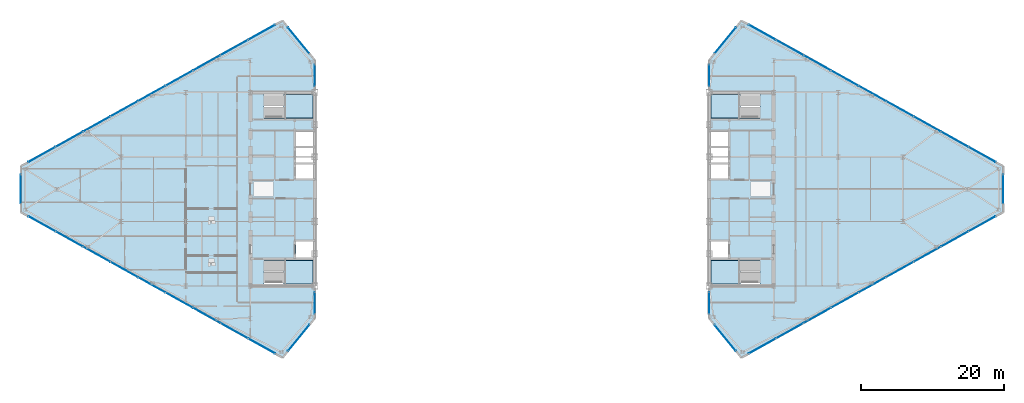
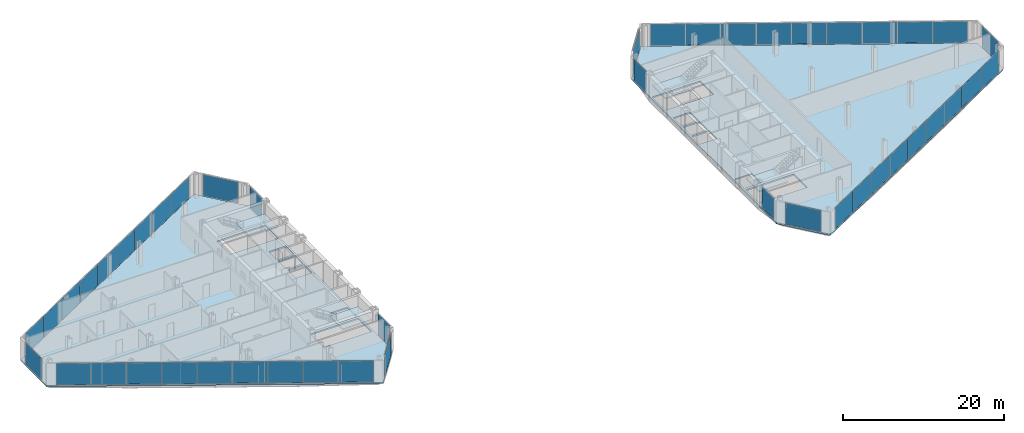
# One storey, part 18 of 26: 46 plates, 6 slabs, 18 elements without a shape of their own.
"""IFC4 building model written with IfcOpenShell, lengths in metres."""

from ifc_helpers import new_model, si_unit, direction, frame, origin, origin_2d, place, context, subcontext, project, spatial, polyline, rectangle, outline, extrude, source, transform, mapped, material, layer, layer_set, type_object, type_shapes, element, aggregate, save


model = new_model("IFC4")

# Units and contexts
model_context = context("Model", 3, precision=1e-05, world=origin(), true_north=direction((0.0, 1.0)))
body_context = subcontext(model_context, "Body", "Model", "MODEL_VIEW")
ifc_project = project(units=[si_unit("LENGTHUNIT", "METRE"), si_unit("AREAUNIT", "SQUARE_METRE"), si_unit("VOLUMEUNIT", "CUBIC_METRE"), si_unit("PLANEANGLEUNIT", "RADIAN"), si_unit("MASSUNIT", "GRAM", prefix="KILO")], contexts=[model_context])

# Site, building, storey
site_placement = place(None, origin())
site = spatial("IfcSite", under=ifc_project, at=site_placement, CompositionType="ELEMENT")
building_placement = place(site_placement, origin())
building = spatial("IfcBuilding", under=site, at=building_placement, Name="Seokmaru Belvedere", CompositionType="ELEMENT")
storey_placement = place(building_placement, frame((0.0, 0.0, 177.89990234375)))
storey = spatial("IfcBuildingStorey", under=building, at=storey_placement, Name="L47", CompositionType="ELEMENT", Elevation=177.89990234375)

# Stair, slab
ifc_material_1 = material(Name="Concrete C40 (40 MPa)", Category="concrete")
stair_type = type_object("IfcStairType", Name="Typical Tower Core Dog-Leg Stair 3600", PredefinedType="TWO_STRAIGHT_RUN_STAIR", material=ifc_material_1)
stair_1_placement = place(storey_placement, origin())
stair_1 = element("IfcStair", 1, at=stair_1_placement, inside=storey, type_object=stair_type, Name="L47 Special Escape Stair ST-W1", PredefinedType="TWO_STRAIGHT_RUN_STAIR")
ifc_layer_1 = layer(ifc_material_1, 0.199951171875)
ifc_layer_set_1 = layer_set([ifc_layer_1], Name="Concrete C40 (40 MPa)")
slab_type_1 = type_object("IfcSlabType", Name="Reinforced Concrete Stair Landing Slab 200", PredefinedType="LANDING", material=ifc_layer_set_1)
slab_1_placement = place(storey_placement, frame((0.0, 0.0, 1.60009765625)))
slab_1 = element("IfcSlab", 2, at=slab_1_placement, type_object=slab_type_1, Name="ST-W1 landing 1", PredefinedType="LANDING", context=body_context, shape_type="SweptSolid", body=[
    extrude(outline(polyline([(-31.8798828125, -13.239990234375), (-27.760009765625, -13.239990234375), (-27.760009765625, -9.949951171875), (-31.8798828125, -9.949951171875), (-31.8798828125, -13.239990234375)])), origin(), (0.0, 0.0, 1.0), 0.199951171875),
])
aggregate(stair_1, [slab_1])

stair_2_placement = place(storey_placement, origin())
stair_2 = element("IfcStair", 3, at=stair_2_placement, inside=storey, type_object=stair_type, Name="L47 Special Escape Stair ST-W2", PredefinedType="TWO_STRAIGHT_RUN_STAIR")
slab_2_placement = place(storey_placement, frame((0.0, 0.0, 1.60009765625)))
slab_2 = element("IfcSlab", 4, at=slab_2_placement, type_object=slab_type_1, Name="ST-W2 landing 1", PredefinedType="LANDING", context=body_context, shape_type="SweptSolid", body=[
    extrude(outline(polyline([(-31.8798828125, 9.949951171875), (-27.760009765625, 9.949951171875), (-27.760009765625, 13.239990234375), (-31.8798828125, 13.239990234375), (-31.8798828125, 9.949951171875)])), origin(), (0.0, 0.0, 1.0), 0.199951171875),
])
aggregate(stair_2, [slab_2])

stair_3_placement = place(storey_placement, origin())
stair_3 = element("IfcStair", 5, at=stair_3_placement, inside=storey, type_object=stair_type, Name="L47 Special Escape Stair ST-E1", PredefinedType="TWO_STRAIGHT_RUN_STAIR")
slab_3_placement = place(storey_placement, frame((0.0, 0.0, 1.60009765625)))
slab_3 = element("IfcSlab", 6, at=slab_3_placement, type_object=slab_type_1, Name="ST-E1 landing 1", PredefinedType="LANDING", context=body_context, shape_type="SweptSolid", body=[
    extrude(outline(polyline([(27.760009765625, -13.239990234375), (31.8798828125, -13.239990234375), (31.8798828125, -9.949951171875), (27.760009765625, -9.949951171875), (27.760009765625, -13.239990234375)])), origin(), (0.0, 0.0, 1.0), 0.199951171875),
])
aggregate(stair_3, [slab_3])

stair_4_placement = place(storey_placement, origin())
stair_4 = element("IfcStair", 7, at=stair_4_placement, inside=storey, type_object=stair_type, Name="L47 Special Escape Stair ST-E2", PredefinedType="TWO_STRAIGHT_RUN_STAIR")
slab_4_placement = place(storey_placement, frame((0.0, 0.0, 1.60009765625)))
slab_4 = element("IfcSlab", 8, at=slab_4_placement, type_object=slab_type_1, Name="ST-E2 landing 1", PredefinedType="LANDING", context=body_context, shape_type="SweptSolid", body=[
    extrude(outline(polyline([(27.760009765625, 9.949951171875), (31.8798828125, 9.949951171875), (31.8798828125, 13.239990234375), (27.760009765625, 13.239990234375), (27.760009765625, 9.949951171875)])), origin(), (0.0, 0.0, 1.0), 0.199951171875),
])
aggregate(stair_4, [slab_4])

# Slabs
ifc_layer_2 = layer(ifc_material_1, 0.219970703125)
ifc_layer_set_2 = layer_set([ifc_layer_2], Name="Concrete C40 (40 MPa)")
slab_type_2 = type_object("IfcSlabType", Name="Typical Tower Composite Floor Slab 220", PredefinedType="FLOOR", material=ifc_layer_set_2)
slab_5_placement = place(storey_placement, frame((0.0, 0.0, -0.219970703125)))
element("IfcSlab", 9, at=slab_5_placement, inside=storey, type_object=slab_type_2, Name="L47 West Leg Floor Slab", PredefinedType="FLOOR", context=body_context, shape_type="SweptSolid", body=[
    extrude(outline(polyline([(-27.5, -18.0), (-27.5, 18.0), (-32.0, 23.5), (-68.5, 3.199951171875), (-68.5, -3.199951171875), (-32.0, -23.5), (-27.5, -18.0)]), holes=[polyline([(-34.60009765625, -13.25), (-27.75, -13.25), (-27.75, -9.949951171875), (-34.60009765625, -9.949951171875), (-34.60009765625, -13.25)]), polyline([(-34.60009765625, 9.949951171875), (-27.75, 9.949951171875), (-27.75, 13.25), (-34.60009765625, 13.25), (-34.60009765625, 9.949951171875)]), polyline([(-30.14990234375, -9.550048828125), (-27.75, -9.550048828125), (-27.75, -7.25), (-30.14990234375, -7.25), (-30.14990234375, -9.550048828125)]), polyline([(-30.14990234375, 1.449951171875), (-27.75, 1.449951171875), (-27.75, 3.449951171875), (-30.14990234375, 3.449951171875), (-30.14990234375, 1.449951171875)]), polyline([(-30.14990234375, 3.75), (-27.75, 3.75), (-27.75, 5.75), (-30.14990234375, 5.75), (-30.14990234375, 3.75)]), polyline([(-30.14990234375, 6.050048828125), (-27.75, 6.050048828125), (-27.75, 8.050048828125), (-30.14990234375, 8.050048828125), (-30.14990234375, 6.050048828125)])]), origin(), (0.0, 0.0, 1.0), 0.219970703125),
])
slab_6_placement = place(storey_placement, frame((0.0, 0.0, -0.219970703125)))
element("IfcSlab", 10, at=slab_6_placement, inside=storey, type_object=slab_type_2, Name="L47 East Leg Floor Slab", PredefinedType="FLOOR", context=body_context, shape_type="SweptSolid", body=[
    extrude(outline(polyline([(32.0, -23.5), (68.5, -3.199951171875), (68.5, 3.199951171875), (32.0, 23.5), (27.5, 18.0), (27.5, -18.0), (32.0, -23.5)]), holes=[polyline([(27.75, -13.25), (34.60009765625, -13.25), (34.60009765625, -9.949951171875), (27.75, -9.949951171875), (27.75, -13.25)]), polyline([(27.75, 9.949951171875), (34.60009765625, 9.949951171875), (34.60009765625, 13.25), (27.75, 13.25), (27.75, 9.949951171875)]), polyline([(27.75, -9.550048828125), (30.14990234375, -9.550048828125), (30.14990234375, -7.25), (27.75, -7.25), (27.75, -9.550048828125)]), polyline([(27.75, 1.449951171875), (30.14990234375, 1.449951171875), (30.14990234375, 3.449951171875), (27.75, 3.449951171875), (27.75, 1.449951171875)]), polyline([(27.75, 3.75), (30.14990234375, 3.75), (30.14990234375, 5.75), (27.75, 5.75), (27.75, 3.75)]), polyline([(27.75, 6.050048828125), (30.14990234375, 6.050048828125), (30.14990234375, 8.050048828125), (27.75, 8.050048828125), (27.75, 6.050048828125)])]), origin(), (0.0, 0.0, 1.0), 0.219970703125),
])

# Curtain wall, plate
ifc_material_2 = material(Name="Bronze Triple Insulating Glass", Category="glass")
ifc_layer_3 = layer(ifc_material_2, 0.179931640625)
ifc_layer_set_3 = layer_set([ifc_layer_3], Name="Bronze Triple Insulating Glass")
curtain_wall_type = type_object("IfcCurtainWallType", Name="High-Rise Wind-Corner Curtain Wall System CW-5", PredefinedType="NOTDEFINED", material=ifc_layer_set_3)
curtain_wall_1_placement = place(storey_placement, origin())
curtain_wall_1 = element("IfcCurtainWall", 11, at=curtain_wall_1_placement, inside=storey, type_object=curtain_wall_type, Name="L47 Curtain Wall WSP_1", PredefinedType="NOTDEFINED")
ifc_layer_4 = layer(ifc_material_2, 0.035888671875)
ifc_layer_set_4 = layer_set([ifc_layer_4], Name="Bronze Triple Insulating Glass")
plate_type = type_object("IfcPlateType", Name="Bronze Triple Vision Glazing Panel 36", PredefinedType="CURTAIN_PANEL", material=ifc_layer_set_4)
shared_shape_1 = source(origin(), body_context, "Body", "SweptSolid", [
    extrude(rectangle(XDim=2.969970703125, YDim=0.035888671875, at=origin_2d()), origin(), (0.0, 0.0, 1.0), 3.25),
])
plate_1_placement = place(storey_placement, frame((-27.5, -15.8798828125, 0.065185546875), z_axis=(0.0, 0.0, 1.0), x_axis=(0.0, 1.0, 0.0)))
plate_1 = element("IfcPlate", 12, at=plate_1_placement, type_object=plate_type, Name="CW:L47:WSP_1 Glazing Panel 1-1", PredefinedType="CURTAIN_PANEL", context=body_context, shape_type="MappedRepresentation", body=[
    mapped(shared_shape_1, transform((0.0, 0.0, 0.0), scale=1.0)),
])
aggregate(curtain_wall_1, [plate_1])

curtain_wall_2_placement = place(storey_placement, origin())
curtain_wall_2 = element("IfcCurtainWall", 13, at=curtain_wall_2_placement, inside=storey, type_object=curtain_wall_type, Name="L47 Curtain Wall WSP_2", PredefinedType="NOTDEFINED")
plate_2_placement = place(storey_placement, frame((-27.5, 15.8798828125, 0.065185546875), z_axis=(0.0, 0.0, 1.0), x_axis=(0.0, 1.0, 0.0)))
plate_2 = element("IfcPlate", 14, at=plate_2_placement, type_object=plate_type, Name="CW:L47:WSP_2 Glazing Panel 1-1", PredefinedType="CURTAIN_PANEL", context=body_context, shape_type="MappedRepresentation", body=[
    mapped(shared_shape_1, transform((0.0, 0.0, 0.0), scale=1.0)),
])
aggregate(curtain_wall_2, [plate_2])

curtain_wall_3_placement = place(storey_placement, origin())
curtain_wall_3 = element("IfcCurtainWall", 15, at=curtain_wall_3_placement, inside=storey, type_object=curtain_wall_type, Name="L47 Curtain Wall ESP_1", PredefinedType="NOTDEFINED")
plate_3_placement = place(storey_placement, frame((27.5, -15.8798828125, 0.065185546875), z_axis=(0.0, 0.0, 1.0), x_axis=(0.0, -1.0, 0.0)))
plate_3 = element("IfcPlate", 16, at=plate_3_placement, type_object=plate_type, Name="CW:L47:ESP_1 Glazing Panel 1-1", PredefinedType="CURTAIN_PANEL", context=body_context, shape_type="MappedRepresentation", body=[
    mapped(shared_shape_1, transform((0.0, 0.0, 0.0), scale=1.0)),
])
aggregate(curtain_wall_3, [plate_3])

curtain_wall_4_placement = place(storey_placement, origin())
curtain_wall_4 = element("IfcCurtainWall", 17, at=curtain_wall_4_placement, inside=storey, type_object=curtain_wall_type, Name="L47 Curtain Wall ESP_2", PredefinedType="NOTDEFINED")
plate_4_placement = place(storey_placement, frame((27.5, 15.8798828125, 0.065185546875), z_axis=(0.0, 0.0, 1.0), x_axis=(0.0, -1.0, 0.0)))
plate_4 = element("IfcPlate", 18, at=plate_4_placement, type_object=plate_type, Name="CW:L47:ESP_2 Glazing Panel 1-1", PredefinedType="CURTAIN_PANEL", context=body_context, shape_type="MappedRepresentation", body=[
    mapped(shared_shape_1, transform((0.0, 0.0, 0.0), scale=1.0)),
])
aggregate(curtain_wall_4, [plate_4])

curtain_wall_5_placement = place(storey_placement, origin())
curtain_wall_5 = element("IfcCurtainWall", 19, at=curtain_wall_5_placement, inside=storey, type_object=curtain_wall_type, Name="L47 Curtain Wall WF2", PredefinedType="NOTDEFINED")
shared_shape_2 = source(origin(), body_context, "Body", "SweptSolid", [
    extrude(rectangle(XDim=4.67626953125, YDim=0.035888671875, at=origin_2d()), origin(), (0.0, 0.0, 1.0), 3.25),
])
plate_5_placement = place(storey_placement, frame((-29.75, 20.75, 0.065185546875), z_axis=(0.0, 0.0, 1.0), x_axis=(-0.633253907144, 0.773944112379, 0.0)))
plate_5 = element("IfcPlate", 20, at=plate_5_placement, type_object=plate_type, Name="CW:L47:WF2 Glazing Panel 1-1", PredefinedType="CURTAIN_PANEL", context=body_context, shape_type="MappedRepresentation", body=[
    mapped(shared_shape_2, transform((0.0, 0.0, 0.0), scale=1.0)),
])
aggregate(curtain_wall_5, [plate_5])

curtain_wall_6_placement = place(storey_placement, origin())
curtain_wall_6 = element("IfcCurtainWall", 21, at=curtain_wall_6_placement, inside=storey, type_object=curtain_wall_type, Name="L47 Curtain Wall WF6", PredefinedType="NOTDEFINED")
plate_6_placement = place(storey_placement, frame((-29.75, -20.75, 0.065185546875), z_axis=(0.0, 0.0, 1.0), x_axis=(0.633253907144, 0.773944112379, 0.0)))
plate_6 = element("IfcPlate", 22, at=plate_6_placement, type_object=plate_type, Name="CW:L47:WF6 Glazing Panel 1-1", PredefinedType="CURTAIN_PANEL", context=body_context, shape_type="MappedRepresentation", body=[
    mapped(shared_shape_2, transform((0.0, 0.0, 0.0), scale=1.0)),
])
aggregate(curtain_wall_6, [plate_6])

curtain_wall_7_placement = place(storey_placement, origin())
curtain_wall_7 = element("IfcCurtainWall", 23, at=curtain_wall_7_placement, inside=storey, type_object=curtain_wall_type, Name="L47 Curtain Wall EF4", PredefinedType="NOTDEFINED")
plate_7_placement = place(storey_placement, frame((29.75, 20.75, 0.065185546875), z_axis=(0.0, 0.0, 1.0), x_axis=(-0.633253907144, -0.773944112379, 0.0)))
plate_7 = element("IfcPlate", 24, at=plate_7_placement, type_object=plate_type, Name="CW:L47:EF4 Glazing Panel 1-1", PredefinedType="CURTAIN_PANEL", context=body_context, shape_type="MappedRepresentation", body=[
    mapped(shared_shape_2, transform((0.0, 0.0, 0.0), scale=1.0)),
])
aggregate(curtain_wall_7, [plate_7])

curtain_wall_8_placement = place(storey_placement, origin())
curtain_wall_8 = element("IfcCurtainWall", 25, at=curtain_wall_8_placement, inside=storey, type_object=curtain_wall_type, Name="L47 Curtain Wall EF6", PredefinedType="NOTDEFINED")
plate_8_placement = place(storey_placement, frame((29.75, -20.75, 0.065185546875), z_axis=(0.0, 0.0, 1.0), x_axis=(0.633253907144, -0.773944112379, 0.0)))
plate_8 = element("IfcPlate", 26, at=plate_8_placement, type_object=plate_type, Name="CW:L47:EF6 Glazing Panel 1-1", PredefinedType="CURTAIN_PANEL", context=body_context, shape_type="MappedRepresentation", body=[
    mapped(shared_shape_2, transform((0.0, 0.0, 0.0), scale=1.0)),
])
aggregate(curtain_wall_8, [plate_8])

# Curtain wall, plates
curtain_wall_9_placement = place(storey_placement, origin())
curtain_wall_9 = element("IfcCurtainWall", 27, at=curtain_wall_9_placement, inside=storey, type_object=curtain_wall_type, Name="L47 Curtain Wall WF3", PredefinedType="NOTDEFINED")
shared_shape_3 = source(origin(), body_context, "Body", "SweptSolid", [
    extrude(rectangle(XDim=4.28759765625, YDim=0.035888671875, at=origin_2d()), origin(), (0.0, 0.0, 1.0), 3.25),
])
plate_9_placement = place(storey_placement, frame((-34.935302734375, 21.867431640625, 0.065185546875), z_axis=(0.0, 0.0, 1.0), x_axis=(-0.873932601598, -0.486047125147, 0.0)))
plate_9 = element("IfcPlate", 28, at=plate_9_placement, type_object=plate_type, Name="CW:L47:WF3 Glazing Panel 1-1", PredefinedType="CURTAIN_PANEL", context=body_context, shape_type="MappedRepresentation", body=[
    mapped(shared_shape_3, transform((0.0, 0.0, 0.0), scale=1.0)),
])
plate_10_placement = place(storey_placement, frame((-65.564697265625, 4.83251953125, 0.065185546875), z_axis=(0.0, 0.0, 1.0), x_axis=(-0.873932601598, -0.486047125147, 0.0)))
plate_10 = element("IfcPlate", 29, at=plate_10_placement, type_object=plate_type, Name="CW:L47:WF3 Glazing Panel 9-1", PredefinedType="CURTAIN_PANEL", context=body_context, shape_type="MappedRepresentation", body=[
    mapped(shared_shape_3, transform((0.0, 0.0, 0.0), scale=1.0)),
])

curtain_wall_10_placement = place(storey_placement, origin())
curtain_wall_10 = element("IfcCurtainWall", 30, at=curtain_wall_10_placement, inside=storey, type_object=curtain_wall_type, Name="L47 Curtain Wall WF5", PredefinedType="NOTDEFINED")
plate_11_placement = place(storey_placement, frame((-65.564697265625, -4.83251953125, 0.065185546875), z_axis=(0.0, 0.0, 1.0), x_axis=(0.873932601598, -0.486047125147, 0.0)))
plate_11 = element("IfcPlate", 31, at=plate_11_placement, type_object=plate_type, Name="CW:L47:WF5 Glazing Panel 1-1", PredefinedType="CURTAIN_PANEL", context=body_context, shape_type="MappedRepresentation", body=[
    mapped(shared_shape_3, transform((0.0, 0.0, 0.0), scale=1.0)),
])
plate_12_placement = place(storey_placement, frame((-34.935302734375, -21.867431640625, 0.065185546875), z_axis=(0.0, 0.0, 1.0), x_axis=(0.873932601598, -0.486047125147, 0.0)))
plate_12 = element("IfcPlate", 32, at=plate_12_placement, type_object=plate_type, Name="CW:L47:WF5 Glazing Panel 9-1", PredefinedType="CURTAIN_PANEL", context=body_context, shape_type="MappedRepresentation", body=[
    mapped(shared_shape_3, transform((0.0, 0.0, 0.0), scale=1.0)),
])

curtain_wall_11_placement = place(storey_placement, origin())
curtain_wall_11 = element("IfcCurtainWall", 33, at=curtain_wall_11_placement, inside=storey, type_object=curtain_wall_type, Name="L47 Curtain Wall EF1", PredefinedType="NOTDEFINED")
plate_13_placement = place(storey_placement, frame((34.935302734375, -21.867431640625, 0.065185546875), z_axis=(0.0, 0.0, 1.0), x_axis=(0.873932601598, 0.486047125147, 0.0)))
plate_13 = element("IfcPlate", 34, at=plate_13_placement, type_object=plate_type, Name="CW:L47:EF1 Glazing Panel 1-1", PredefinedType="CURTAIN_PANEL", context=body_context, shape_type="MappedRepresentation", body=[
    mapped(shared_shape_3, transform((0.0, 0.0, 0.0), scale=1.0)),
])
plate_14_placement = place(storey_placement, frame((65.564697265625, -4.83251953125, 0.065185546875), z_axis=(0.0, 0.0, 1.0), x_axis=(0.873932601598, 0.486047125147, 0.0)))
plate_14 = element("IfcPlate", 35, at=plate_14_placement, type_object=plate_type, Name="CW:L47:EF1 Glazing Panel 9-1", PredefinedType="CURTAIN_PANEL", context=body_context, shape_type="MappedRepresentation", body=[
    mapped(shared_shape_3, transform((0.0, 0.0, 0.0), scale=1.0)),
])

curtain_wall_12_placement = place(storey_placement, origin())
curtain_wall_12 = element("IfcCurtainWall", 36, at=curtain_wall_12_placement, inside=storey, type_object=curtain_wall_type, Name="L47 Curtain Wall EF3", PredefinedType="NOTDEFINED")
plate_15_placement = place(storey_placement, frame((65.564697265625, 4.83251953125, 0.065185546875), z_axis=(0.0, 0.0, 1.0), x_axis=(-0.873932601598, 0.486047125147, 0.0)))
plate_15 = element("IfcPlate", 37, at=plate_15_placement, type_object=plate_type, Name="CW:L47:EF3 Glazing Panel 1-1", PredefinedType="CURTAIN_PANEL", context=body_context, shape_type="MappedRepresentation", body=[
    mapped(shared_shape_3, transform((0.0, 0.0, 0.0), scale=1.0)),
])
plate_16_placement = place(storey_placement, frame((34.935302734375, 21.867431640625, 0.065185546875), z_axis=(0.0, 0.0, 1.0), x_axis=(-0.873932601598, 0.486047125147, 0.0)))
plate_16 = element("IfcPlate", 38, at=plate_16_placement, type_object=plate_type, Name="CW:L47:EF3 Glazing Panel 9-1", PredefinedType="CURTAIN_PANEL", context=body_context, shape_type="MappedRepresentation", body=[
    mapped(shared_shape_3, transform((0.0, 0.0, 0.0), scale=1.0)),
])

# Plate
shared_shape_4 = source(origin(), body_context, "Body", "SweptSolid", [
    extrude(rectangle(XDim=4.320068359375, YDim=0.035888671875, at=origin_2d()), origin(), (0.0, 0.0, 1.0), 3.25),
])
plate_17_placement = place(storey_placement, frame((-38.75341796875, 19.743896484375, 0.065185546875), z_axis=(0.0, 0.0, 1.0), x_axis=(-0.873932601598, -0.486047125147, 0.0)))
plate_17 = element("IfcPlate", 39, at=plate_17_placement, type_object=plate_type, Name="CW:L47:WF3 Glazing Panel 2-1", PredefinedType="CURTAIN_PANEL", context=body_context, shape_type="MappedRepresentation", body=[
    mapped(shared_shape_4, transform((0.0, 0.0, 0.0), scale=1.0)),
])

plate_18_placement = place(storey_placement, frame((-42.585693359375, 17.61279296875, 0.065185546875), z_axis=(0.0, 0.0, 1.0), x_axis=(-0.873932601598, -0.486047125147, 0.0)))
plate_18 = element("IfcPlate", 40, at=plate_18_placement, type_object=plate_type, Name="CW:L47:WF3 Glazing Panel 3-1", PredefinedType="CURTAIN_PANEL", context=body_context, shape_type="MappedRepresentation", body=[
    mapped(shared_shape_4, transform((0.0, 0.0, 0.0), scale=1.0)),
])

plate_19_placement = place(storey_placement, frame((-46.417724609375, 15.481201171875, 0.065185546875), z_axis=(0.0, 0.0, 1.0), x_axis=(-0.873932601598, -0.486047125147, 0.0)))
plate_19 = element("IfcPlate", 41, at=plate_19_placement, type_object=plate_type, Name="CW:L47:WF3 Glazing Panel 4-1", PredefinedType="CURTAIN_PANEL", context=body_context, shape_type="MappedRepresentation", body=[
    mapped(shared_shape_4, transform((0.0, 0.0, 0.0), scale=1.0)),
])

plate_20_placement = place(storey_placement, frame((-50.25, 13.35009765625, 0.065185546875), z_axis=(0.0, 0.0, 1.0), x_axis=(-0.873932601598, -0.486047125147, 0.0)))
plate_20 = element("IfcPlate", 42, at=plate_20_placement, type_object=plate_type, Name="CW:L47:WF3 Glazing Panel 5-1", PredefinedType="CURTAIN_PANEL", context=body_context, shape_type="MappedRepresentation", body=[
    mapped(shared_shape_4, transform((0.0, 0.0, 0.0), scale=1.0)),
])

plate_21_placement = place(storey_placement, frame((-54.082275390625, 11.21875, 0.065185546875), z_axis=(0.0, 0.0, 1.0), x_axis=(-0.873932601598, -0.486047125147, 0.0)))
plate_21 = element("IfcPlate", 43, at=plate_21_placement, type_object=plate_type, Name="CW:L47:WF3 Glazing Panel 6-1", PredefinedType="CURTAIN_PANEL", context=body_context, shape_type="MappedRepresentation", body=[
    mapped(shared_shape_4, transform((0.0, 0.0, 0.0), scale=1.0)),
])

plate_22_placement = place(storey_placement, frame((-57.914306640625, 9.08740234375, 0.065185546875), z_axis=(0.0, 0.0, 1.0), x_axis=(-0.873932601598, -0.486047125147, 0.0)))
plate_22 = element("IfcPlate", 44, at=plate_22_placement, type_object=plate_type, Name="CW:L47:WF3 Glazing Panel 7-1", PredefinedType="CURTAIN_PANEL", context=body_context, shape_type="MappedRepresentation", body=[
    mapped(shared_shape_4, transform((0.0, 0.0, 0.0), scale=1.0)),
])

plate_23_placement = place(storey_placement, frame((-61.74658203125, 6.9560546875, 0.065185546875), z_axis=(0.0, 0.0, 1.0), x_axis=(-0.873932601598, -0.486047125147, 0.0)))
plate_23 = element("IfcPlate", 45, at=plate_23_placement, type_object=plate_type, Name="CW:L47:WF3 Glazing Panel 8-1", PredefinedType="CURTAIN_PANEL", context=body_context, shape_type="MappedRepresentation", body=[
    mapped(shared_shape_4, transform((0.0, 0.0, 0.0), scale=1.0)),
])

aggregate(curtain_wall_9, [plate_9, plate_17, plate_18, plate_19, plate_20, plate_21, plate_22, plate_23, plate_10])

plate_24_placement = place(storey_placement, frame((-61.74658203125, -6.9560546875, 0.065185546875), z_axis=(0.0, 0.0, 1.0), x_axis=(0.873932601598, -0.486047125147, 0.0)))
plate_24 = element("IfcPlate", 46, at=plate_24_placement, type_object=plate_type, Name="CW:L47:WF5 Glazing Panel 2-1", PredefinedType="CURTAIN_PANEL", context=body_context, shape_type="MappedRepresentation", body=[
    mapped(shared_shape_4, transform((0.0, 0.0, 0.0), scale=1.0)),
])

plate_25_placement = place(storey_placement, frame((-57.914306640625, -9.08740234375, 0.065185546875), z_axis=(0.0, 0.0, 1.0), x_axis=(0.873932601598, -0.486047125147, 0.0)))
plate_25 = element("IfcPlate", 47, at=plate_25_placement, type_object=plate_type, Name="CW:L47:WF5 Glazing Panel 3-1", PredefinedType="CURTAIN_PANEL", context=body_context, shape_type="MappedRepresentation", body=[
    mapped(shared_shape_4, transform((0.0, 0.0, 0.0), scale=1.0)),
])

plate_26_placement = place(storey_placement, frame((-54.082275390625, -11.21875, 0.065185546875), z_axis=(0.0, 0.0, 1.0), x_axis=(0.873932601598, -0.486047125147, 0.0)))
plate_26 = element("IfcPlate", 48, at=plate_26_placement, type_object=plate_type, Name="CW:L47:WF5 Glazing Panel 4-1", PredefinedType="CURTAIN_PANEL", context=body_context, shape_type="MappedRepresentation", body=[
    mapped(shared_shape_4, transform((0.0, 0.0, 0.0), scale=1.0)),
])

plate_27_placement = place(storey_placement, frame((-50.25, -13.35009765625, 0.065185546875), z_axis=(0.0, 0.0, 1.0), x_axis=(0.873932601598, -0.486047125147, 0.0)))
plate_27 = element("IfcPlate", 49, at=plate_27_placement, type_object=plate_type, Name="CW:L47:WF5 Glazing Panel 5-1", PredefinedType="CURTAIN_PANEL", context=body_context, shape_type="MappedRepresentation", body=[
    mapped(shared_shape_4, transform((0.0, 0.0, 0.0), scale=1.0)),
])

plate_28_placement = place(storey_placement, frame((-46.417724609375, -15.481201171875, 0.065185546875), z_axis=(0.0, 0.0, 1.0), x_axis=(0.873932601598, -0.486047125147, 0.0)))
plate_28 = element("IfcPlate", 50, at=plate_28_placement, type_object=plate_type, Name="CW:L47:WF5 Glazing Panel 6-1", PredefinedType="CURTAIN_PANEL", context=body_context, shape_type="MappedRepresentation", body=[
    mapped(shared_shape_4, transform((0.0, 0.0, 0.0), scale=1.0)),
])

plate_29_placement = place(storey_placement, frame((-42.585693359375, -17.61279296875, 0.065185546875), z_axis=(0.0, 0.0, 1.0), x_axis=(0.873932601598, -0.486047125147, 0.0)))
plate_29 = element("IfcPlate", 51, at=plate_29_placement, type_object=plate_type, Name="CW:L47:WF5 Glazing Panel 7-1", PredefinedType="CURTAIN_PANEL", context=body_context, shape_type="MappedRepresentation", body=[
    mapped(shared_shape_4, transform((0.0, 0.0, 0.0), scale=1.0)),
])

plate_30_placement = place(storey_placement, frame((-38.75341796875, -19.743896484375, 0.065185546875), z_axis=(0.0, 0.0, 1.0), x_axis=(0.873932601598, -0.486047125147, 0.0)))
plate_30 = element("IfcPlate", 52, at=plate_30_placement, type_object=plate_type, Name="CW:L47:WF5 Glazing Panel 8-1", PredefinedType="CURTAIN_PANEL", context=body_context, shape_type="MappedRepresentation", body=[
    mapped(shared_shape_4, transform((0.0, 0.0, 0.0), scale=1.0)),
])

aggregate(curtain_wall_10, [plate_11, plate_24, plate_25, plate_26, plate_27, plate_28, plate_29, plate_30, plate_12])

plate_31_placement = place(storey_placement, frame((38.75341796875, -19.743896484375, 0.065185546875), z_axis=(0.0, 0.0, 1.0), x_axis=(0.873932601598, 0.486047125147, 0.0)))
plate_31 = element("IfcPlate", 53, at=plate_31_placement, type_object=plate_type, Name="CW:L47:EF1 Glazing Panel 2-1", PredefinedType="CURTAIN_PANEL", context=body_context, shape_type="MappedRepresentation", body=[
    mapped(shared_shape_4, transform((0.0, 0.0, 0.0), scale=1.0)),
])

plate_32_placement = place(storey_placement, frame((42.585693359375, -17.61279296875, 0.065185546875), z_axis=(0.0, 0.0, 1.0), x_axis=(0.873932601598, 0.486047125147, 0.0)))
plate_32 = element("IfcPlate", 54, at=plate_32_placement, type_object=plate_type, Name="CW:L47:EF1 Glazing Panel 3-1", PredefinedType="CURTAIN_PANEL", context=body_context, shape_type="MappedRepresentation", body=[
    mapped(shared_shape_4, transform((0.0, 0.0, 0.0), scale=1.0)),
])

plate_33_placement = place(storey_placement, frame((46.417724609375, -15.481201171875, 0.065185546875), z_axis=(0.0, 0.0, 1.0), x_axis=(0.873932601598, 0.486047125147, 0.0)))
plate_33 = element("IfcPlate", 55, at=plate_33_placement, type_object=plate_type, Name="CW:L47:EF1 Glazing Panel 4-1", PredefinedType="CURTAIN_PANEL", context=body_context, shape_type="MappedRepresentation", body=[
    mapped(shared_shape_4, transform((0.0, 0.0, 0.0), scale=1.0)),
])

plate_34_placement = place(storey_placement, frame((50.25, -13.35009765625, 0.065185546875), z_axis=(0.0, 0.0, 1.0), x_axis=(0.873932601598, 0.486047125147, 0.0)))
plate_34 = element("IfcPlate", 56, at=plate_34_placement, type_object=plate_type, Name="CW:L47:EF1 Glazing Panel 5-1", PredefinedType="CURTAIN_PANEL", context=body_context, shape_type="MappedRepresentation", body=[
    mapped(shared_shape_4, transform((0.0, 0.0, 0.0), scale=1.0)),
])

plate_35_placement = place(storey_placement, frame((54.082275390625, -11.21875, 0.065185546875), z_axis=(0.0, 0.0, 1.0), x_axis=(0.873932601598, 0.486047125147, 0.0)))
plate_35 = element("IfcPlate", 57, at=plate_35_placement, type_object=plate_type, Name="CW:L47:EF1 Glazing Panel 6-1", PredefinedType="CURTAIN_PANEL", context=body_context, shape_type="MappedRepresentation", body=[
    mapped(shared_shape_4, transform((0.0, 0.0, 0.0), scale=1.0)),
])

plate_36_placement = place(storey_placement, frame((57.914306640625, -9.08740234375, 0.065185546875), z_axis=(0.0, 0.0, 1.0), x_axis=(0.873932601598, 0.486047125147, 0.0)))
plate_36 = element("IfcPlate", 58, at=plate_36_placement, type_object=plate_type, Name="CW:L47:EF1 Glazing Panel 7-1", PredefinedType="CURTAIN_PANEL", context=body_context, shape_type="MappedRepresentation", body=[
    mapped(shared_shape_4, transform((0.0, 0.0, 0.0), scale=1.0)),
])

plate_37_placement = place(storey_placement, frame((61.74658203125, -6.9560546875, 0.065185546875), z_axis=(0.0, 0.0, 1.0), x_axis=(0.873932601598, 0.486047125147, 0.0)))
plate_37 = element("IfcPlate", 59, at=plate_37_placement, type_object=plate_type, Name="CW:L47:EF1 Glazing Panel 8-1", PredefinedType="CURTAIN_PANEL", context=body_context, shape_type="MappedRepresentation", body=[
    mapped(shared_shape_4, transform((0.0, 0.0, 0.0), scale=1.0)),
])

aggregate(curtain_wall_11, [plate_13, plate_31, plate_32, plate_33, plate_34, plate_35, plate_36, plate_37, plate_14])

plate_38_placement = place(storey_placement, frame((61.74658203125, 6.9560546875, 0.065185546875), z_axis=(0.0, 0.0, 1.0), x_axis=(-0.873932601598, 0.486047125147, 0.0)))
plate_38 = element("IfcPlate", 60, at=plate_38_placement, type_object=plate_type, Name="CW:L47:EF3 Glazing Panel 2-1", PredefinedType="CURTAIN_PANEL", context=body_context, shape_type="MappedRepresentation", body=[
    mapped(shared_shape_4, transform((0.0, 0.0, 0.0), scale=1.0)),
])

plate_39_placement = place(storey_placement, frame((57.914306640625, 9.08740234375, 0.065185546875), z_axis=(0.0, 0.0, 1.0), x_axis=(-0.873932601598, 0.486047125147, 0.0)))
plate_39 = element("IfcPlate", 61, at=plate_39_placement, type_object=plate_type, Name="CW:L47:EF3 Glazing Panel 3-1", PredefinedType="CURTAIN_PANEL", context=body_context, shape_type="MappedRepresentation", body=[
    mapped(shared_shape_4, transform((0.0, 0.0, 0.0), scale=1.0)),
])

plate_40_placement = place(storey_placement, frame((54.082275390625, 11.21875, 0.065185546875), z_axis=(0.0, 0.0, 1.0), x_axis=(-0.873932601598, 0.486047125147, 0.0)))
plate_40 = element("IfcPlate", 62, at=plate_40_placement, type_object=plate_type, Name="CW:L47:EF3 Glazing Panel 4-1", PredefinedType="CURTAIN_PANEL", context=body_context, shape_type="MappedRepresentation", body=[
    mapped(shared_shape_4, transform((0.0, 0.0, 0.0), scale=1.0)),
])

plate_41_placement = place(storey_placement, frame((50.25, 13.35009765625, 0.065185546875), z_axis=(0.0, 0.0, 1.0), x_axis=(-0.873932601598, 0.486047125147, 0.0)))
plate_41 = element("IfcPlate", 63, at=plate_41_placement, type_object=plate_type, Name="CW:L47:EF3 Glazing Panel 5-1", PredefinedType="CURTAIN_PANEL", context=body_context, shape_type="MappedRepresentation", body=[
    mapped(shared_shape_4, transform((0.0, 0.0, 0.0), scale=1.0)),
])

plate_42_placement = place(storey_placement, frame((46.417724609375, 15.481201171875, 0.065185546875), z_axis=(0.0, 0.0, 1.0), x_axis=(-0.873932601598, 0.486047125147, 0.0)))
plate_42 = element("IfcPlate", 64, at=plate_42_placement, type_object=plate_type, Name="CW:L47:EF3 Glazing Panel 6-1", PredefinedType="CURTAIN_PANEL", context=body_context, shape_type="MappedRepresentation", body=[
    mapped(shared_shape_4, transform((0.0, 0.0, 0.0), scale=1.0)),
])

plate_43_placement = place(storey_placement, frame((42.585693359375, 17.61279296875, 0.065185546875), z_axis=(0.0, 0.0, 1.0), x_axis=(-0.873932601598, 0.486047125147, 0.0)))
plate_43 = element("IfcPlate", 65, at=plate_43_placement, type_object=plate_type, Name="CW:L47:EF3 Glazing Panel 7-1", PredefinedType="CURTAIN_PANEL", context=body_context, shape_type="MappedRepresentation", body=[
    mapped(shared_shape_4, transform((0.0, 0.0, 0.0), scale=1.0)),
])

plate_44_placement = place(storey_placement, frame((38.75341796875, 19.743896484375, 0.065185546875), z_axis=(0.0, 0.0, 1.0), x_axis=(-0.873932601598, 0.486047125147, 0.0)))
plate_44 = element("IfcPlate", 66, at=plate_44_placement, type_object=plate_type, Name="CW:L47:EF3 Glazing Panel 8-1", PredefinedType="CURTAIN_PANEL", context=body_context, shape_type="MappedRepresentation", body=[
    mapped(shared_shape_4, transform((0.0, 0.0, 0.0), scale=1.0)),
])

aggregate(curtain_wall_12, [plate_15, plate_38, plate_39, plate_40, plate_41, plate_42, plate_43, plate_44, plate_16])

# Curtain wall, plate
curtain_wall_13_placement = place(storey_placement, origin())
curtain_wall_13 = element("IfcCurtainWall", 67, at=curtain_wall_13_placement, inside=storey, type_object=curtain_wall_type, Name="L47 Curtain Wall WF4", PredefinedType="NOTDEFINED")
shared_shape_5 = source(origin(), body_context, "Body", "SweptSolid", [
    extrude(rectangle(XDim=3.969970703125, YDim=0.035888671875, at=origin_2d()), origin(), (0.0, 0.0, 1.0), 3.25),
])
type_shapes(plate_type, [shared_shape_1, shared_shape_2, shared_shape_3, shared_shape_4, shared_shape_5])
plate_45_placement = place(storey_placement, frame((-68.5, 0.0, 0.065185546875), z_axis=(0.0, 0.0, 1.0), x_axis=(0.0, -1.0, 0.0)))
plate_45 = element("IfcPlate", 68, at=plate_45_placement, type_object=plate_type, Name="CW:L47:WF4 Glazing Panel 1-1", PredefinedType="CURTAIN_PANEL", context=body_context, shape_type="MappedRepresentation", body=[
    mapped(shared_shape_5, transform((0.0, 0.0, 0.0), scale=1.0)),
])
aggregate(curtain_wall_13, [plate_45])

curtain_wall_14_placement = place(storey_placement, origin())
curtain_wall_14 = element("IfcCurtainWall", 69, at=curtain_wall_14_placement, inside=storey, type_object=curtain_wall_type, Name="L47 Curtain Wall EF2", PredefinedType="NOTDEFINED")
plate_46_placement = place(storey_placement, frame((68.5, 0.0, 0.065185546875), z_axis=(0.0, 0.0, 1.0), x_axis=(0.0, 1.0, 0.0)))
plate_46 = element("IfcPlate", 70, at=plate_46_placement, type_object=plate_type, Name="CW:L47:EF2 Glazing Panel 1-1", PredefinedType="CURTAIN_PANEL", context=body_context, shape_type="MappedRepresentation", body=[
    mapped(shared_shape_5, transform((0.0, 0.0, 0.0), scale=1.0)),
])
aggregate(curtain_wall_14, [plate_46])

save(model, "model.ifc")
